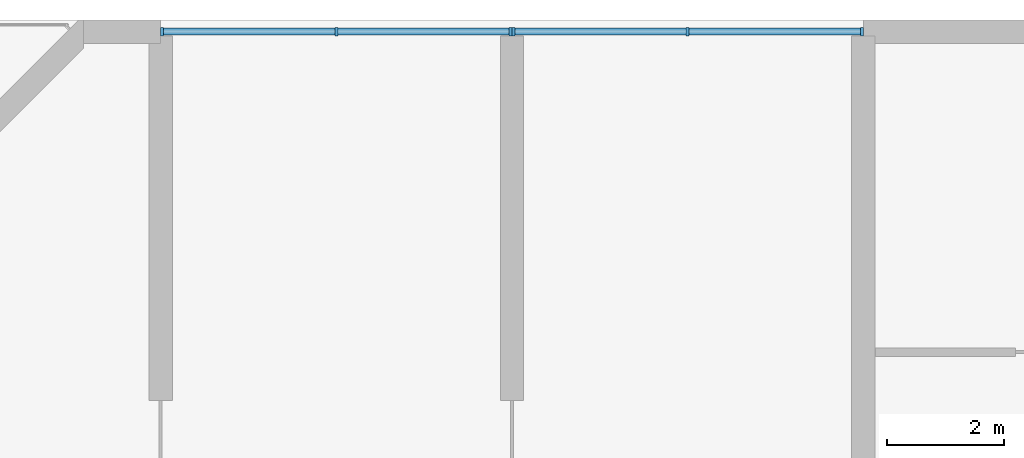
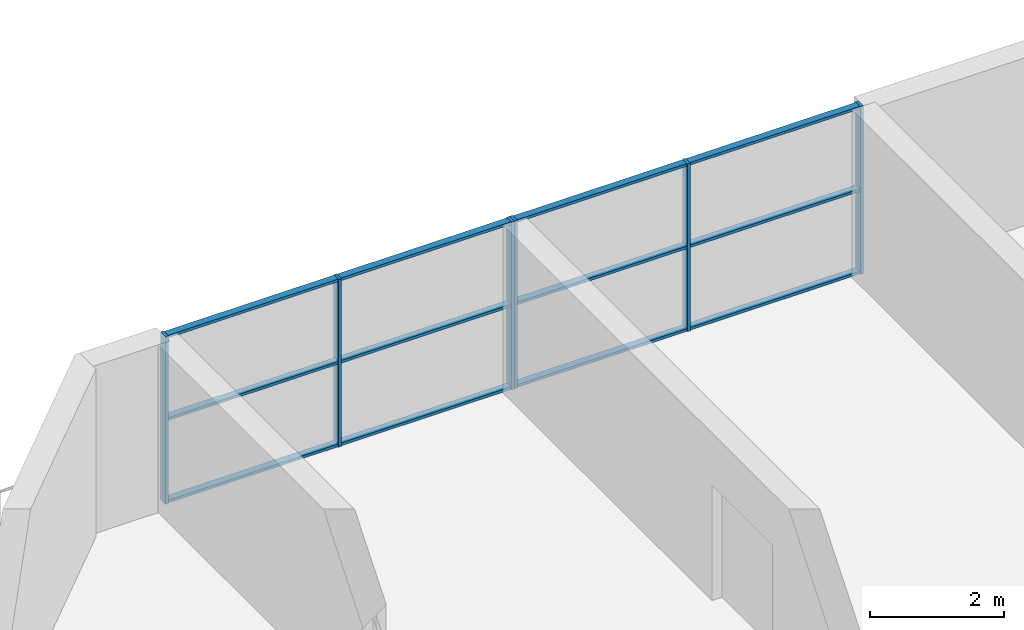
# One storey, part 2 of 21: 18 members, 2 elements without a shape of their own.
"""IFC4 building model written with IfcOpenShell, lengths in metres."""

from ifc_helpers import new_model, si_unit, direction, frame, origin, origin_2d, place, context, subcontext, project, spatial, rectangle, extrude, material, layer, layer_set, material_profile, profile_set, type_object, element, aggregate, save


model = new_model("IFC4")

# Units and contexts
model_context = context("Model", 3, precision=1e-05, world=origin(), true_north=direction((0.0, 1.0)))
body_context = subcontext(model_context, "Body", "Model", "MODEL_VIEW")
ifc_project = project(units=[si_unit("LENGTHUNIT", "METRE"), si_unit("AREAUNIT", "SQUARE_METRE"), si_unit("VOLUMEUNIT", "CUBIC_METRE"), si_unit("PLANEANGLEUNIT", "RADIAN"), si_unit("MASSUNIT", "GRAM", prefix="KILO")], contexts=[model_context])

# Site, building, storey
site_placement = place(None, origin())
site = spatial("IfcSite", under=ifc_project, at=site_placement, CompositionType="ELEMENT")
building_placement = place(site_placement, origin())
building = spatial("IfcBuilding", under=site, at=building_placement, Name="Poui Terraces", CompositionType="ELEMENT")
storey_placement = place(building_placement, frame((0.0, 0.0, 53.10009765625)))
storey = spatial("IfcBuildingStorey", under=building, at=storey_placement, Name="L14", CompositionType="ELEMENT", Elevation=53.10009765625)

# Curtain wall, members
ifc_material_1 = material(Name="Clear glass", Category="glass")
ifc_layer = layer(ifc_material_1, 0.14990234375)
ifc_layer_set = layer_set([ifc_layer], Name="Clear glass")
curtain_wall_type = type_object("IfcCurtainWallType", Name="CURTAIN WALL CW-C COMMUNITY HALL GLAZING", PredefinedType="NOTDEFINED", material=ifc_layer_set)
curtain_wall_1_placement = place(storey_placement, origin())
curtain_wall_1 = element("IfcCurtainWall", 1, at=curtain_wall_1_placement, inside=storey, type_object=curtain_wall_type, Name="CW-C COMMUNITY HALL GLAZING", PredefinedType="NOTDEFINED")
ifc_material_2 = material(Name="Aluminium frame", Category="aluminium")
ifc_material_profile_1 = material_profile(ifc_material_2, rectangle(XDim=0.14990234375, YDim=0.050048828125, at=origin_2d()), Name="CW-C MULLION 50X150")
ifc_profile_set_1 = profile_set([ifc_material_profile_1], Name="Aluminium frame")
member_type_1 = type_object("IfcMemberType", Name="CW-C MULLION 50X150", PredefinedType="MULLION", material=ifc_profile_set_1)
member_1_placement = place(storey_placement, frame((17.97509765625, 44.800048828125, 0.0), z_axis=(0.0, 0.0, 1.0), x_axis=(0.0, -1.0, 0.0)))
member_1 = element("IfcMember", 2, at=member_1_placement, type_object=member_type_1, Name="CW-C mullion 1", PredefinedType="MULLION", context=body_context, shape_type="SweptSolid", body=[
    extrude(rectangle(XDim=0.14990234375, YDim=0.050048828125, at=origin_2d()), origin(), (0.0, 0.0, 1.0), 3.0498046875),
])
member_2_placement = place(storey_placement, frame((15.0, 44.800048828125, 0.0), z_axis=(0.0, 0.0, 1.0), x_axis=(0.0, -1.0, 0.0)))
member_2 = element("IfcMember", 3, at=member_2_placement, type_object=member_type_1, Name="CW-C mullion 2", PredefinedType="MULLION", context=body_context, shape_type="SweptSolid", body=[
    extrude(rectangle(XDim=0.14990234375, YDim=0.050048828125, at=origin_2d()), origin(), (0.0, 0.0, 1.0), 3.0498046875),
])
member_3_placement = place(storey_placement, frame((12.02490234375, 44.800048828125, 0.0), z_axis=(0.0, 0.0, 1.0), x_axis=(0.0, -1.0, 0.0)))
member_3 = element("IfcMember", 4, at=member_3_placement, type_object=member_type_1, Name="CW-C mullion 3", PredefinedType="MULLION", context=body_context, shape_type="SweptSolid", body=[
    extrude(rectangle(XDim=0.14990234375, YDim=0.050048828125, at=origin_2d()), origin(), (0.0, 0.0, 1.0), 3.0498046875),
])

curtain_wall_2_placement = place(storey_placement, origin())
curtain_wall_2 = element("IfcCurtainWall", 5, at=curtain_wall_2_placement, inside=storey, type_object=curtain_wall_type, Name="CW-C COMMUNITY HALL GLAZING", PredefinedType="NOTDEFINED")
member_4_placement = place(storey_placement, frame((23.97509765625, 44.800048828125, 0.0), z_axis=(0.0, 0.0, 1.0), x_axis=(0.0, -1.0, 0.0)))
member_4 = element("IfcMember", 6, at=member_4_placement, type_object=member_type_1, Name="CW-C mullion 1", PredefinedType="MULLION", context=body_context, shape_type="SweptSolid", body=[
    extrude(rectangle(XDim=0.14990234375, YDim=0.050048828125, at=origin_2d()), origin(), (0.0, 0.0, 1.0), 3.0498046875),
])
member_5_placement = place(storey_placement, frame((21.0, 44.800048828125, 0.0), z_axis=(0.0, 0.0, 1.0), x_axis=(0.0, -1.0, 0.0)))
member_5 = element("IfcMember", 7, at=member_5_placement, type_object=member_type_1, Name="CW-C mullion 2", PredefinedType="MULLION", context=body_context, shape_type="SweptSolid", body=[
    extrude(rectangle(XDim=0.14990234375, YDim=0.050048828125, at=origin_2d()), origin(), (0.0, 0.0, 1.0), 3.0498046875),
])
member_6_placement = place(storey_placement, frame((18.02490234375, 44.800048828125, 0.0), z_axis=(0.0, 0.0, 1.0), x_axis=(0.0, -1.0, 0.0)))
member_6 = element("IfcMember", 8, at=member_6_placement, type_object=member_type_1, Name="CW-C mullion 3", PredefinedType="MULLION", context=body_context, shape_type="SweptSolid", body=[
    extrude(rectangle(XDim=0.14990234375, YDim=0.050048828125, at=origin_2d()), origin(), (0.0, 0.0, 1.0), 3.0498046875),
])

# Member
ifc_material_profile_2 = material_profile(ifc_material_2, rectangle(XDim=0.1201171875, YDim=0.050048828125, at=origin_2d()), Name="CW-C TRANSOM 50X120")
ifc_profile_set_2 = profile_set([ifc_material_profile_2], Name="Aluminium frame")
member_type_2 = type_object("IfcMemberType", Name="CW-C TRANSOM 50X120", PredefinedType="USERDEFINED", material=ifc_profile_set_2)
member_7_placement = place(storey_placement, frame((17.949951171875, 44.800048828125, 0.02490234375), z_axis=(-1.0, 0.0, 0.0), x_axis=(0.0, -1.0, 0.0)))
member_7 = element("IfcMember", 9, at=member_7_placement, type_object=member_type_2, Name="CW-C transom 1.1", ObjectType="TRANSOM", PredefinedType="USERDEFINED", context=body_context, shape_type="SweptSolid", body=[
    extrude(rectangle(XDim=0.1201171875, YDim=0.050048828125, at=origin_2d()), origin(), (0.0, 0.0, 1.0), 2.925048828125),
])

member_8_placement = place(storey_placement, frame((17.949951171875, 44.800048828125, 1.52490234375), z_axis=(-1.0, 0.0, 0.0), x_axis=(0.0, -1.0, 0.0)))
member_8 = element("IfcMember", 10, at=member_8_placement, type_object=member_type_2, Name="CW-C transom 1.2", ObjectType="TRANSOM", PredefinedType="USERDEFINED", context=body_context, shape_type="SweptSolid", body=[
    extrude(rectangle(XDim=0.1201171875, YDim=0.050048828125, at=origin_2d()), origin(), (0.0, 0.0, 1.0), 2.925048828125),
])

member_9_placement = place(storey_placement, frame((17.949951171875, 44.800048828125, 3.02490234375), z_axis=(-1.0, 0.0, 0.0), x_axis=(0.0, -1.0, 0.0)))
member_9 = element("IfcMember", 11, at=member_9_placement, type_object=member_type_2, Name="CW-C transom 1.3", ObjectType="TRANSOM", PredefinedType="USERDEFINED", context=body_context, shape_type="SweptSolid", body=[
    extrude(rectangle(XDim=0.1201171875, YDim=0.050048828125, at=origin_2d()), origin(), (0.0, 0.0, 1.0), 2.925048828125),
])

member_10_placement = place(storey_placement, frame((14.97509765625, 44.800048828125, 0.02490234375), z_axis=(-1.0, 0.0, 0.0), x_axis=(0.0, -1.0, 0.0)))
member_10 = element("IfcMember", 12, at=member_10_placement, type_object=member_type_2, Name="CW-C transom 2.1", ObjectType="TRANSOM", PredefinedType="USERDEFINED", context=body_context, shape_type="SweptSolid", body=[
    extrude(rectangle(XDim=0.1201171875, YDim=0.050048828125, at=origin_2d()), origin(), (0.0, 0.0, 1.0), 2.925048828125),
])

member_11_placement = place(storey_placement, frame((14.97509765625, 44.800048828125, 1.52490234375), z_axis=(-1.0, 0.0, 0.0), x_axis=(0.0, -1.0, 0.0)))
member_11 = element("IfcMember", 13, at=member_11_placement, type_object=member_type_2, Name="CW-C transom 2.2", ObjectType="TRANSOM", PredefinedType="USERDEFINED", context=body_context, shape_type="SweptSolid", body=[
    extrude(rectangle(XDim=0.1201171875, YDim=0.050048828125, at=origin_2d()), origin(), (0.0, 0.0, 1.0), 2.925048828125),
])

member_12_placement = place(storey_placement, frame((14.97509765625, 44.800048828125, 3.02490234375), z_axis=(-1.0, 0.0, 0.0), x_axis=(0.0, -1.0, 0.0)))
member_12 = element("IfcMember", 14, at=member_12_placement, type_object=member_type_2, Name="CW-C transom 2.3", ObjectType="TRANSOM", PredefinedType="USERDEFINED", context=body_context, shape_type="SweptSolid", body=[
    extrude(rectangle(XDim=0.1201171875, YDim=0.050048828125, at=origin_2d()), origin(), (0.0, 0.0, 1.0), 2.925048828125),
])

aggregate(curtain_wall_1, [member_1, member_2, member_3, member_7, member_8, member_9, member_10, member_11, member_12])

member_13_placement = place(storey_placement, frame((23.949951171875, 44.800048828125, 0.02490234375), z_axis=(-1.0, 0.0, 0.0), x_axis=(0.0, -1.0, 0.0)))
member_13 = element("IfcMember", 15, at=member_13_placement, type_object=member_type_2, Name="CW-C transom 1.1", ObjectType="TRANSOM", PredefinedType="USERDEFINED", context=body_context, shape_type="SweptSolid", body=[
    extrude(rectangle(XDim=0.1201171875, YDim=0.050048828125, at=origin_2d()), origin(), (0.0, 0.0, 1.0), 2.925048828125),
])

member_14_placement = place(storey_placement, frame((23.949951171875, 44.800048828125, 1.52490234375), z_axis=(-1.0, 0.0, 0.0), x_axis=(0.0, -1.0, 0.0)))
member_14 = element("IfcMember", 16, at=member_14_placement, type_object=member_type_2, Name="CW-C transom 1.2", ObjectType="TRANSOM", PredefinedType="USERDEFINED", context=body_context, shape_type="SweptSolid", body=[
    extrude(rectangle(XDim=0.1201171875, YDim=0.050048828125, at=origin_2d()), origin(), (0.0, 0.0, 1.0), 2.925048828125),
])

member_15_placement = place(storey_placement, frame((23.949951171875, 44.800048828125, 3.02490234375), z_axis=(-1.0, 0.0, 0.0), x_axis=(0.0, -1.0, 0.0)))
member_15 = element("IfcMember", 17, at=member_15_placement, type_object=member_type_2, Name="CW-C transom 1.3", ObjectType="TRANSOM", PredefinedType="USERDEFINED", context=body_context, shape_type="SweptSolid", body=[
    extrude(rectangle(XDim=0.1201171875, YDim=0.050048828125, at=origin_2d()), origin(), (0.0, 0.0, 1.0), 2.925048828125),
])

member_16_placement = place(storey_placement, frame((20.97509765625, 44.800048828125, 0.02490234375), z_axis=(-1.0, 0.0, 0.0), x_axis=(0.0, -1.0, 0.0)))
member_16 = element("IfcMember", 18, at=member_16_placement, type_object=member_type_2, Name="CW-C transom 2.1", ObjectType="TRANSOM", PredefinedType="USERDEFINED", context=body_context, shape_type="SweptSolid", body=[
    extrude(rectangle(XDim=0.1201171875, YDim=0.050048828125, at=origin_2d()), origin(), (0.0, 0.0, 1.0), 2.925048828125),
])

member_17_placement = place(storey_placement, frame((20.97509765625, 44.800048828125, 1.52490234375), z_axis=(-1.0, 0.0, 0.0), x_axis=(0.0, -1.0, 0.0)))
member_17 = element("IfcMember", 19, at=member_17_placement, type_object=member_type_2, Name="CW-C transom 2.2", ObjectType="TRANSOM", PredefinedType="USERDEFINED", context=body_context, shape_type="SweptSolid", body=[
    extrude(rectangle(XDim=0.1201171875, YDim=0.050048828125, at=origin_2d()), origin(), (0.0, 0.0, 1.0), 2.925048828125),
])

member_18_placement = place(storey_placement, frame((20.97509765625, 44.800048828125, 3.02490234375), z_axis=(-1.0, 0.0, 0.0), x_axis=(0.0, -1.0, 0.0)))
member_18 = element("IfcMember", 20, at=member_18_placement, type_object=member_type_2, Name="CW-C transom 2.3", ObjectType="TRANSOM", PredefinedType="USERDEFINED", context=body_context, shape_type="SweptSolid", body=[
    extrude(rectangle(XDim=0.1201171875, YDim=0.050048828125, at=origin_2d()), origin(), (0.0, 0.0, 1.0), 2.925048828125),
])

aggregate(curtain_wall_2, [member_4, member_5, member_6, member_13, member_14, member_15, member_16, member_17, member_18])

save(model, "model.ifc")
